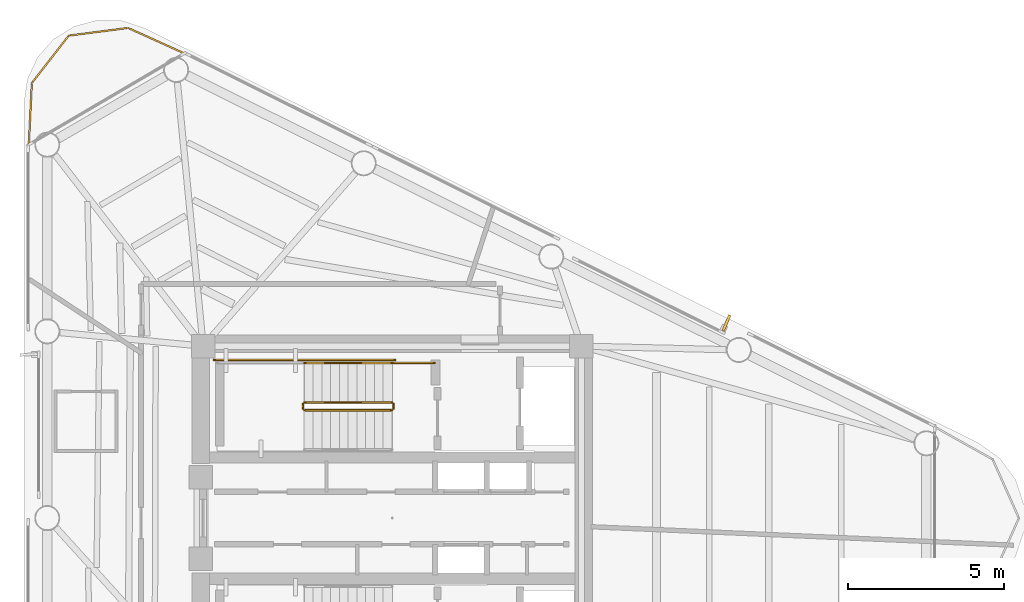
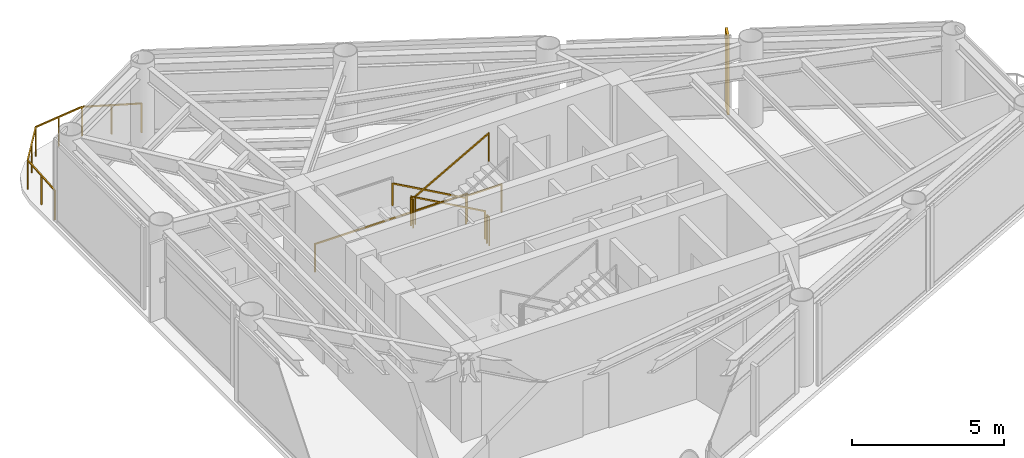
# One storey, part 10 of 10: 8 railings, 1 shading device.
"""IFC4 building model written with IfcOpenShell, lengths in metres."""

from ifc_helpers import new_model, si_unit, direction, frame, origin, origin_2d, place, context, subcontext, project, spatial, rectangle, extrude, source, transform, mapped, material, material_profile, profile_set, type_object, element, save


model = new_model("IFC4")

# Units and contexts
model_context = context("Model", 3, precision=1e-05, world=origin(), true_north=direction((0.0, 1.0)))
body_context = subcontext(model_context, "Body", "Model", "MODEL_VIEW")
ifc_project = project(units=[si_unit("LENGTHUNIT", "METRE"), si_unit("AREAUNIT", "SQUARE_METRE"), si_unit("VOLUMEUNIT", "CUBIC_METRE"), si_unit("PLANEANGLEUNIT", "RADIAN"), si_unit("MASSUNIT", "GRAM", prefix="KILO")], contexts=[model_context])

# Site, building, storey
site_placement = place(None, origin())
site = spatial("IfcSite", under=ifc_project, at=site_placement, CompositionType="ELEMENT")
building_placement = place(site_placement, origin())
building = spatial("IfcBuilding", under=site, at=building_placement, Name="Yunling Apex Tower", CompositionType="ELEMENT")
storey_placement = place(building_placement, frame((0.0, 0.0, 293.300048828125)))
storey = spatial("IfcBuildingStorey", under=building, at=storey_placement, Name="L71", CompositionType="ELEMENT", Elevation=293.300048828125)

# Railings
ifc_material_1 = material(Name="Bronze anodised aluminium", Category="aluminium")
railing_type_1 = type_object("IfcRailingType", Name="RL-BAL-1200", PredefinedType="BALUSTRADE", material=ifc_material_1)
railing_1_placement = place(storey_placement, frame((-11.627197265625, 11.9453125, 0.0)))
element("IfcRailing", 1, at=railing_1_placement, inside=storey, type_object=railing_type_1, Name="RL-CRNSILL-L71-2", PredefinedType="BALUSTRADE", context=body_context, shape_type="SweptSolid", body=[
    extrude(rectangle(XDim=0.0439453125, YDim=0.0439453125, at=origin_2d()), origin(), (0.0, 0.0, 1.0), 1.199951171875),
    extrude(rectangle(XDim=0.0439453125, YDim=0.0439453125, at=origin_2d()), frame((0.095947265625, 1.972412109375, 0.0)), (0.0, 0.0, 1.0), 1.199951171875),
    extrude(rectangle(XDim=0.050048828125, YDim=0.050048828125, at=origin_2d()), frame((0.001953125, 0.038330078125, 1.1748046875), z_axis=(0.048587182269, 0.998818945415, 0.0), x_axis=(-0.998818945415, 0.048587182269, 0.0)), (0.0, 0.0, 1.0), 1.898193359375),
    extrude(rectangle(XDim=0.0439453125, YDim=0.0439453125, at=origin_2d()), frame((0.0478515625, 0.986328125, 0.0)), (0.0, 0.0, 1.0), 1.14599609375),
    extrude(rectangle(XDim=0.0439453125, YDim=0.0439453125, at=origin_2d()), frame((1.27685546875, 3.48828125, 0.0)), (0.0, 0.0, 1.0), 1.199951171875),
    extrude(rectangle(XDim=0.050048828125, YDim=0.050048828125, at=origin_2d()), frame((0.119384765625, 2.002685546875, 1.1748046875), z_axis=(0.61455614591, 0.788873084548, 0.0), x_axis=(-0.788873084548, 0.61455614591, 0.0)), (0.0, 0.0, 1.0), 1.844970703125),
    extrude(rectangle(XDim=0.0439453125, YDim=0.0439453125, at=origin_2d()), frame((0.6865234375, 2.73046875, 0.0)), (0.0, 0.0, 1.0), 1.14599609375),
    extrude(rectangle(XDim=0.0439453125, YDim=0.0439453125, at=origin_2d()), frame((3.176513671875, 3.734375, 0.0)), (0.0, 0.0, 1.0), 1.199951171875),
    extrude(rectangle(XDim=0.050048828125, YDim=0.050048828125, at=origin_2d()), frame((1.31494140625, 3.4931640625, 1.1748046875), z_axis=(0.991713034877, 0.128472784881, 0.0), x_axis=(-0.128472784881, 0.991713034877, 0.0)), (0.0, 0.0, 1.0), 1.8388671875),
    extrude(rectangle(XDim=0.0439453125, YDim=0.0439453125, at=origin_2d()), frame((2.2265625, 3.611328125, 0.0)), (0.0, 0.0, 1.0), 1.14599609375),
    extrude(rectangle(XDim=0.0439453125, YDim=0.0439453125, at=origin_2d()), frame((4.97607421875, 2.919677734375, 0.0)), (0.0, 0.0, 1.0), 1.199951171875),
    extrude(rectangle(XDim=0.050048828125, YDim=0.050048828125, at=origin_2d()), frame((3.21142578125, 3.718505859375, 1.1748046875), z_axis=(0.910991856267, -0.412424341929, 0.0), x_axis=(0.412424341929, 0.910991856267, 0.0)), (0.0, 0.0, 1.0), 1.898681640625),
    extrude(rectangle(XDim=0.0439453125, YDim=0.0439453125, at=origin_2d()), frame((4.076171875, 3.3271484375, 0.0)), (0.0, 0.0, 1.0), 1.14599609375),
])
ifc_material_2 = material(Name="Steel Q355B", Category="steel")
railing_type_2 = type_object("IfcRailingType", Name="RL-GRD-1150", PredefinedType="GUARDRAIL", material=ifc_material_2)
railing_2_placement = place(storey_placement, frame((-0.010009765625, 3.699951171875, 0.15673828125)))
element("IfcRailing", 2, at=railing_2_placement, inside=storey, type_object=railing_type_2, Name="L71 ST-1 stair guard 1", PredefinedType="GUARDRAIL", context=body_context, shape_type="SweptSolid", body=[
    extrude(rectangle(XDim=0.0439453125, YDim=0.0439453125, at=origin_2d()), origin(), (0.0, 0.0, 1.0), 1.14990234375),
    extrude(rectangle(XDim=0.0439453125, YDim=0.0439453125, at=origin_2d()), frame((-2.800048828125, 0.0, 1.568115234375)), (0.0, 0.0, 1.0), 1.14990234375),
    extrude(rectangle(XDim=0.050048828125, YDim=0.050048828125, at=origin_2d()), frame((-0.033447265625, 0.0, 1.1435546875), z_axis=(-0.872494340497, 0.0, 0.48862421737), x_axis=(0.0, -1.0, 0.0)), (0.0, 0.0, 1.0), 3.132568359375),
])
railing_3_placement = place(storey_placement, frame((-2.860107421875, 3.64990234375, 1.724853515625)))
element("IfcRailing", 3, at=railing_3_placement, inside=storey, type_object=railing_type_2, Name="L71 ST-1 stair guard 2", PredefinedType="GUARDRAIL", context=body_context, shape_type="SweptSolid", body=[
    extrude(rectangle(XDim=0.0439453125, YDim=0.0439453125, at=origin_2d()), origin(), (0.0, 0.0, 1.0), 1.14990234375),
    extrude(rectangle(XDim=0.0439453125, YDim=0.0439453125, at=origin_2d()), frame((0.0, -0.14990234375, 0.0)), (0.0, 0.0, 1.0), 1.14990234375),
    extrude(rectangle(XDim=0.050048828125, YDim=0.050048828125, at=origin_2d()), frame((0.0, -0.038330078125, 1.125), z_axis=(0.0, -1.0, 0.0), x_axis=(1.0, 0.0, 0.0)), (0.0, 0.0, 1.0), 0.0732421875),
])
railing_4_placement = place(storey_placement, frame((-2.81005859375, 3.449951171875, 1.8818359375)))
element("IfcRailing", 4, at=railing_4_placement, inside=storey, type_object=railing_type_2, Name="L71 ST-1 stair guard 4", PredefinedType="GUARDRAIL", context=body_context, shape_type="SweptSolid", body=[
    extrude(rectangle(XDim=0.0439453125, YDim=0.0439453125, at=origin_2d()), origin(), (0.0, 0.0, 1.0), 1.14990234375),
    extrude(rectangle(XDim=0.0439453125, YDim=0.0439453125, at=origin_2d()), frame((2.800048828125, 0.0, 1.568115234375)), (0.0, 0.0, 1.0), 1.14990234375),
    extrude(rectangle(XDim=0.050048828125, YDim=0.050048828125, at=origin_2d()), frame((0.033447265625, 0.0, 1.1435546875), z_axis=(0.872494340497, 0.0, 0.48862421737), x_axis=(0.0, 1.0, 0.0)), (0.0, 0.0, 1.0), 3.132568359375),
])
railing_5_placement = place(storey_placement, frame((0.0400390625, 3.64990234375, 0.0)))
element("IfcRailing", 5, at=railing_5_placement, inside=storey, type_object=railing_type_2, Name="L71 ST-1 stair guard 5", PredefinedType="GUARDRAIL", context=body_context, shape_type="SweptSolid", body=[
    extrude(rectangle(XDim=0.0439453125, YDim=0.0439453125, at=origin_2d()), origin(), (0.0, 0.0, 1.0), 1.14990234375),
    extrude(rectangle(XDim=0.0439453125, YDim=0.0439453125, at=origin_2d()), frame((0.0, -0.14990234375, 0.0)), (0.0, 0.0, 1.0), 1.14990234375),
    extrude(rectangle(XDim=0.050048828125, YDim=0.050048828125, at=origin_2d()), frame((0.0, -0.038330078125, 1.125), z_axis=(0.0, -1.0, 0.0), x_axis=(1.0, 0.0, 0.0)), (0.0, 0.0, 1.0), 0.0732421875),
])
railing_6_placement = place(storey_placement, frame((1.35009765625, 4.9599609375, 0.0)))
element("IfcRailing", 6, at=railing_6_placement, inside=storey, type_object=railing_type_2, Name="L71 ST-1 stair guard 6", PredefinedType="GUARDRAIL", context=body_context, shape_type="SweptSolid", body=[
    extrude(rectangle(XDim=0.0439453125, YDim=0.0439453125, at=origin_2d()), origin(), (0.0, 0.0, 1.0), 1.14990234375),
    extrude(rectangle(XDim=0.0439453125, YDim=0.0439453125, at=origin_2d()), frame((-1.360107421875, 0.0, 0.0)), (0.0, 0.0, 1.0), 1.14990234375),
    extrude(rectangle(XDim=0.050048828125, YDim=0.050048828125, at=origin_2d()), frame((-0.038330078125, 0.0, 1.125), z_axis=(-1.0, 0.0, 0.0), x_axis=(0.0, -1.0, 0.0)), (0.0, 0.0, 1.0), 1.283447265625),
])
railing_7_placement = place(storey_placement, frame((0.090087890625, 5.06005859375, 0.0)))
element("IfcRailing", 7, at=railing_7_placement, inside=storey, type_object=railing_type_2, Name="L71 ST-1 stair guard 7", PredefinedType="GUARDRAIL", context=body_context, shape_type="SweptSolid", body=[
    extrude(rectangle(XDim=0.0439453125, YDim=0.0439453125, at=origin_2d()), origin(), (0.0, 0.0, 1.0), 1.14990234375),
    extrude(rectangle(XDim=0.0439453125, YDim=0.0439453125, at=origin_2d()), frame((-5.7900390625, 0.0, 0.0)), (0.0, 0.0, 1.0), 1.14990234375),
    extrude(rectangle(XDim=0.050048828125, YDim=0.050048828125, at=origin_2d()), frame((-0.038330078125, 0.0, 1.125), z_axis=(-1.0, 0.0, 0.0), x_axis=(0.0, -1.0, 0.0)), (0.0, 0.0, 1.0), 5.71337890625),
])
ifc_material_3 = material(Name="Silver anodised aluminium", Category="aluminium")
railing_type_3 = type_object("IfcRailingType", Name="RL-HND-900", PredefinedType="HANDRAIL", material=ifc_material_3)
railing_8_placement = place(storey_placement, frame((-0.010009765625, 4.9599609375, 0.15673828125)))
element("IfcRailing", 8, at=railing_8_placement, inside=storey, type_object=railing_type_3, Name="L71 ST-1 stair handrail 1", PredefinedType="HANDRAIL", context=body_context, shape_type="SweptSolid", body=[
    extrude(rectangle(XDim=0.0439453125, YDim=0.0439453125, at=origin_2d()), origin(), (0.0, 0.0, 1.0), 0.919921875),
    extrude(rectangle(XDim=0.0439453125, YDim=0.0439453125, at=origin_2d()), frame((-2.800048828125, 0.0, 1.568115234375)), (0.0, 0.0, 1.0), 0.919921875),
    extrude(rectangle(XDim=0.050048828125, YDim=0.050048828125, at=origin_2d()), frame((-0.033447265625, 0.0, 0.91357421875), z_axis=(-0.872494340497, 0.0, 0.48862421737), x_axis=(0.0, -1.0, 0.0)), (0.0, 0.0, 1.0), 3.132568359375),
])

# Shading device
ifc_material_profile = material_profile(ifc_material_1, rectangle(XDim=0.0849609375, YDim=0.550048828125, at=origin_2d()))
ifc_profile_set = profile_set([ifc_material_profile], Name="Bronze anodised aluminium")
shading_device_type = type_object("IfcShadingDeviceType", Name="FN-BRZ-3", PredefinedType="USERDEFINED", material=ifc_profile_set)
shared_shape = source(origin(), body_context, "Body", "SweptSolid", [
    extrude(rectangle(XDim=0.0849609375, YDim=0.550048828125, at=origin_2d()), origin(), (0.0, 0.0, 1.0), 3.14990234375),
])
shading_device_placement = place(storey_placement, frame((10.689208984375, 6.240234375, 0.06005859375), z_axis=(0.0, 0.0, 1.0), x_axis=(-0.922470722095, 0.386067049717, 0.0)))
element("IfcShadingDevice", 9, at=shading_device_placement, inside=storey, type_object=shading_device_type, Name="CW-L71-F2-B2-FIN-01", ObjectType="FIN", PredefinedType="USERDEFINED", context=body_context, shape_type="MappedRepresentation", body=[
    mapped(shared_shape, transform((0.0, 0.0, 0.0), scale=1.0)),
])

save(model, "model.ifc")
